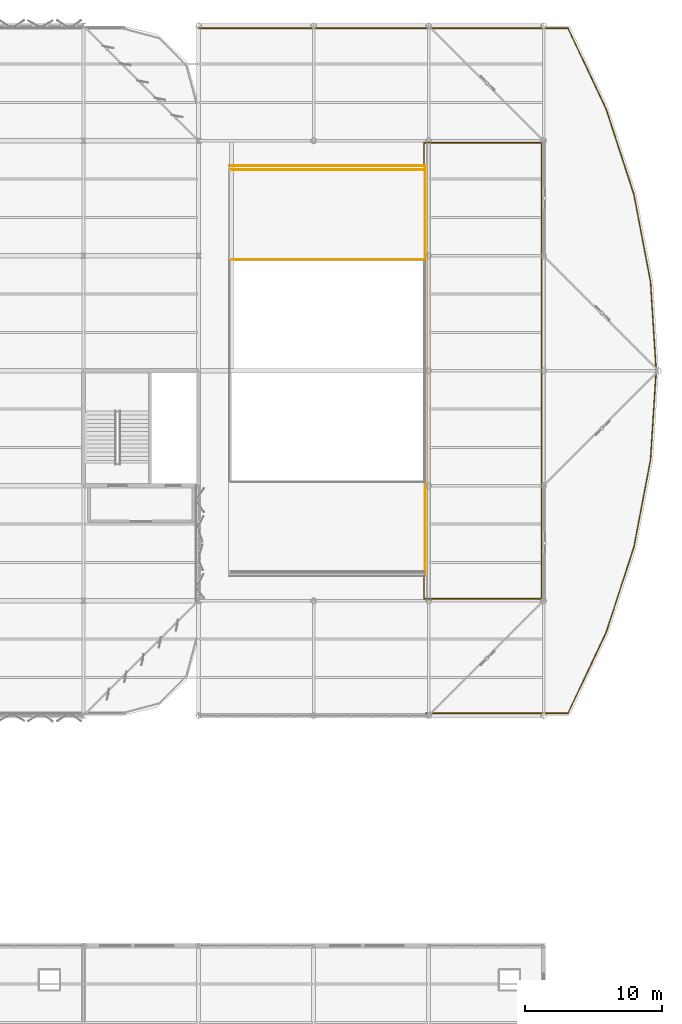
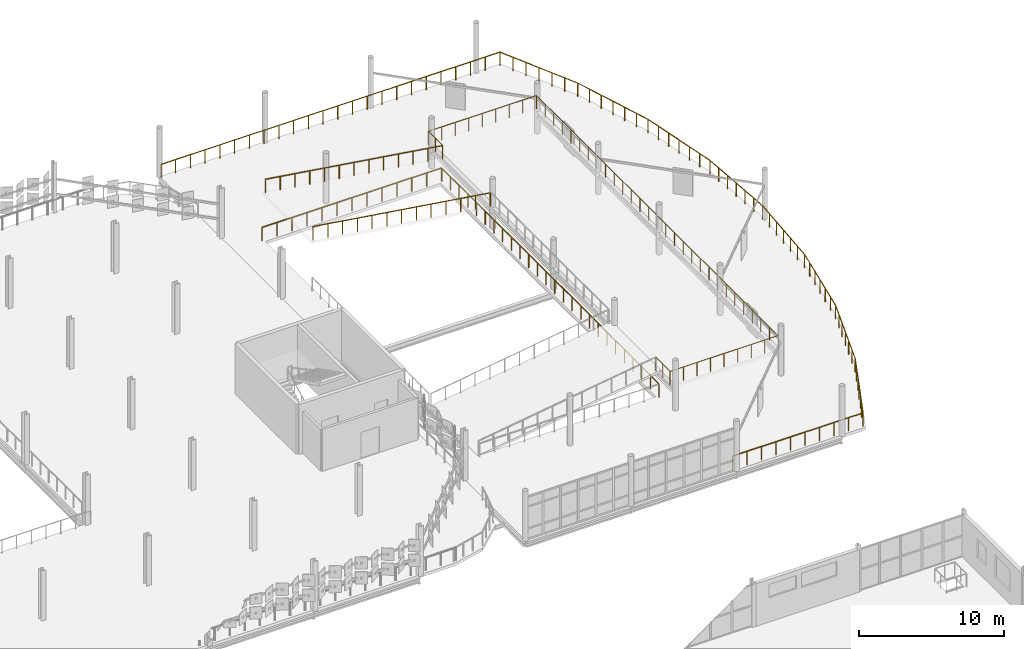
# One storey, part 162 of 163: 6 railings.
"""IFC4 building model written with IfcOpenShell, lengths in metres."""

from ifc_helpers import new_model, si_unit, direction, frame, origin, origin_2d, place, context, subcontext, project, spatial, circle, extrude, material, type_object, element, save


model = new_model("IFC4")

# Units and contexts
model_context = context("Model", 3, precision=1e-05, world=origin(), true_north=direction((0.0, 1.0)))
body_context = subcontext(model_context, "Body", "Model", "MODEL_VIEW")
ifc_project = project(units=[si_unit("LENGTHUNIT", "METRE"), si_unit("AREAUNIT", "SQUARE_METRE"), si_unit("VOLUMEUNIT", "CUBIC_METRE"), si_unit("PLANEANGLEUNIT", "RADIAN"), si_unit("MASSUNIT", "GRAM", prefix="KILO")], contexts=[model_context])

# Site, building, storey
site_placement = place(None, origin())
site = spatial("IfcSite", under=ifc_project, at=site_placement, CompositionType="ELEMENT")
building_placement = place(site_placement, origin())
building = spatial("IfcBuilding", under=site, at=building_placement, Name="Qalvenar Corner Mobility Hub", CompositionType="ELEMENT")
storey_placement = place(building_placement, frame((0.0, 0.0, 4.800048828125)))
storey = spatial("IfcBuildingStorey", under=building, at=storey_placement, Name="L01", CompositionType="ELEMENT", Elevation=4.800048828125)

# Railings
ifc_material = material(Name="Galvanised Steel Deck Edge Barrier", Category="steel")
railing_type = type_object("IfcRailingType", Name="RL-GUARD-115", PredefinedType="GUARDRAIL", material=ifc_material)
railing_1_placement = place(storey_placement, frame((159.25, 100.52001953125, 2.099853515625)))
element("IfcRailing", 1, at=railing_1_placement, inside=storey, type_object=railing_type, Name="Ramp Guardrail L01-L02-GR2", PredefinedType="GUARDRAIL", context=body_context, shape_type="SweptSolid", body=[
    extrude(circle(Radius=0.02392578125, at=origin_2d()), frame((0.0, 0.0, 1.1259765625), z_axis=(-0.989089328396, 0.0, 0.147317006664), x_axis=(0.0, -1.0, 0.0)), (0.0, 0.0, 1.0), 14.255615234375),
    extrude(circle(Radius=0.02099609375, at=origin_2d()), origin(), (0.0, 0.0, 1.0), 1.101806640625),
    extrude(circle(Radius=0.02099609375, at=origin_2d()), frame((-1.175048828125, 0.0, 0.175048828125)), (0.0, 0.0, 1.0), 1.101806640625),
    extrude(circle(Radius=0.02099609375, at=origin_2d()), frame((-2.35009765625, 0.0, 0.35009765625)), (0.0, 0.0, 1.0), 1.101806640625),
    extrude(circle(Radius=0.02099609375, at=origin_2d()), frame((-3.52490234375, 0.0, 0.52490234375)), (0.0, 0.0, 1.0), 1.101806640625),
    extrude(circle(Radius=0.02099609375, at=origin_2d()), frame((-4.699951171875, 0.0, 0.699951171875)), (0.0, 0.0, 1.0), 1.101806640625),
    extrude(circle(Radius=0.02099609375, at=origin_2d()), frame((-5.875, 0.0, 0.875)), (0.0, 0.0, 1.0), 1.101806640625),
    extrude(circle(Radius=0.02099609375, at=origin_2d()), frame((-7.050048828125, 0.0, 1.050048828125)), (0.0, 0.0, 1.0), 1.101806640625),
    extrude(circle(Radius=0.02099609375, at=origin_2d()), frame((-8.22509765625, 0.0, 1.22509765625)), (0.0, 0.0, 1.0), 1.101806640625),
    extrude(circle(Radius=0.02099609375, at=origin_2d()), frame((-9.400146484375, 0.0, 1.400146484375)), (0.0, 0.0, 1.0), 1.101806640625),
    extrude(circle(Radius=0.02099609375, at=origin_2d()), frame((-10.5751953125, 0.0, 1.5751953125)), (0.0, 0.0, 1.0), 1.101806640625),
    extrude(circle(Radius=0.02099609375, at=origin_2d()), frame((-11.75, 0.0, 1.75)), (0.0, 0.0, 1.0), 1.101806640625),
    extrude(circle(Radius=0.02099609375, at=origin_2d()), frame((-12.925048828125, 0.0, 1.925048828125)), (0.0, 0.0, 1.0), 1.101806640625),
    extrude(circle(Radius=0.02099609375, at=origin_2d()), frame((-14.10009765625, 0.0, 2.10009765625)), (0.0, 0.0, 1.0), 1.101806640625),
])
railing_2_placement = place(storey_placement, frame((159.25, 107.080078125, 2.099853515625)))
element("IfcRailing", 2, at=railing_2_placement, inside=storey, type_object=railing_type, Name="Ramp Guardrail L01-L02-GR4", PredefinedType="GUARDRAIL", context=body_context, shape_type="SweptSolid", body=[
    extrude(circle(Radius=0.02392578125, at=origin_2d()), frame((0.0, 0.0, 1.1259765625), z_axis=(-0.989089328396, 0.0, 0.147317006664), x_axis=(0.0, -1.0, 0.0)), (0.0, 0.0, 1.0), 14.255615234375),
    extrude(circle(Radius=0.02099609375, at=origin_2d()), origin(), (0.0, 0.0, 1.0), 1.101806640625),
    extrude(circle(Radius=0.02099609375, at=origin_2d()), frame((-1.175048828125, 0.0, 0.175048828125)), (0.0, 0.0, 1.0), 1.101806640625),
    extrude(circle(Radius=0.02099609375, at=origin_2d()), frame((-2.35009765625, 0.0, 0.35009765625)), (0.0, 0.0, 1.0), 1.101806640625),
    extrude(circle(Radius=0.02099609375, at=origin_2d()), frame((-3.52490234375, 0.0, 0.52490234375)), (0.0, 0.0, 1.0), 1.101806640625),
    extrude(circle(Radius=0.02099609375, at=origin_2d()), frame((-4.699951171875, 0.0, 0.699951171875)), (0.0, 0.0, 1.0), 1.101806640625),
    extrude(circle(Radius=0.02099609375, at=origin_2d()), frame((-5.875, 0.0, 0.875)), (0.0, 0.0, 1.0), 1.101806640625),
    extrude(circle(Radius=0.02099609375, at=origin_2d()), frame((-7.050048828125, 0.0, 1.050048828125)), (0.0, 0.0, 1.0), 1.101806640625),
    extrude(circle(Radius=0.02099609375, at=origin_2d()), frame((-8.22509765625, 0.0, 1.22509765625)), (0.0, 0.0, 1.0), 1.101806640625),
    extrude(circle(Radius=0.02099609375, at=origin_2d()), frame((-9.400146484375, 0.0, 1.400146484375)), (0.0, 0.0, 1.0), 1.101806640625),
    extrude(circle(Radius=0.02099609375, at=origin_2d()), frame((-10.5751953125, 0.0, 1.5751953125)), (0.0, 0.0, 1.0), 1.101806640625),
    extrude(circle(Radius=0.02099609375, at=origin_2d()), frame((-11.75, 0.0, 1.75)), (0.0, 0.0, 1.0), 1.101806640625),
    extrude(circle(Radius=0.02099609375, at=origin_2d()), frame((-12.925048828125, 0.0, 1.925048828125)), (0.0, 0.0, 1.0), 1.101806640625),
    extrude(circle(Radius=0.02099609375, at=origin_2d()), frame((-14.10009765625, 0.0, 2.10009765625)), (0.0, 0.0, 1.0), 1.101806640625),
])
railing_3_placement = place(storey_placement, frame((159.25, 77.719970703125, 2.099853515625)))
element("IfcRailing", 3, at=railing_3_placement, inside=storey, type_object=railing_type, Name="Ramp Guardrail L01-L02-GRL-OUT", PredefinedType="GUARDRAIL", context=body_context, shape_type="SweptSolid", body=[
    extrude(circle(Radius=0.02392578125, at=origin_2d()), frame((0.0, 0.0, 1.1259765625), z_axis=(0.0, -1.0, 0.0), x_axis=(1.0, 0.0, 0.0)), (0.0, 0.0, 1.0), 1.969970703125),
    extrude(circle(Radius=0.02392578125, at=origin_2d()), frame((0.0, -1.969970703125, 1.1259765625), z_axis=(1.0, 0.0, 0.0), x_axis=(0.0, 1.0, 0.0)), (0.0, 0.0, 1.0), 8.60009765625),
    extrude(circle(Radius=0.02392578125, at=origin_2d()), frame((8.60009765625, -1.969970703125, 1.1259765625), z_axis=(0.0, 1.0, 0.0), x_axis=(-1.0, 0.0, 0.0)), (0.0, 0.0, 1.0), 33.300048828125),
    extrude(circle(Radius=0.02392578125, at=origin_2d()), frame((8.60009765625, 31.330078125, 1.1259765625), z_axis=(-1.0, 0.0, 0.0), x_axis=(0.0, -1.0, 0.0)), (0.0, 0.0, 1.0), 8.60009765625),
    extrude(circle(Radius=0.02392578125, at=origin_2d()), frame((0.0, 31.330078125, 1.1259765625), z_axis=(0.0, -1.0, 0.0), x_axis=(1.0, 0.0, 0.0)), (0.0, 0.0, 1.0), 1.969970703125),
    extrude(circle(Radius=0.02099609375, at=origin_2d()), origin(), (0.0, 0.0, 1.0), 1.101806640625),
    extrude(circle(Radius=0.02099609375, at=origin_2d()), frame((0.0, -0.98486328125, 0.0)), (0.0, 0.0, 1.0), 1.101806640625),
    extrude(circle(Radius=0.02099609375, at=origin_2d()), frame((0.0, -1.969970703125, 0.0)), (0.0, 0.0, 1.0), 1.101806640625),
    extrude(circle(Radius=0.02099609375, at=origin_2d()), frame((1.074951171875, -1.969970703125, 0.0)), (0.0, 0.0, 1.0), 1.101806640625),
    extrude(circle(Radius=0.02099609375, at=origin_2d()), frame((2.14990234375, -1.969970703125, 0.0)), (0.0, 0.0, 1.0), 1.101806640625),
    extrude(circle(Radius=0.02099609375, at=origin_2d()), frame((3.22509765625, -1.969970703125, 0.0)), (0.0, 0.0, 1.0), 1.101806640625),
    extrude(circle(Radius=0.02099609375, at=origin_2d()), frame((4.300048828125, -1.969970703125, 0.0)), (0.0, 0.0, 1.0), 1.101806640625),
    extrude(circle(Radius=0.02099609375, at=origin_2d()), frame((5.375, -1.969970703125, 0.0)), (0.0, 0.0, 1.0), 1.101806640625),
    extrude(circle(Radius=0.02099609375, at=origin_2d()), frame((6.4501953125, -1.969970703125, 0.0)), (0.0, 0.0, 1.0), 1.101806640625),
    extrude(circle(Radius=0.02099609375, at=origin_2d()), frame((7.525146484375, -1.969970703125, 0.0)), (0.0, 0.0, 1.0), 1.101806640625),
    extrude(circle(Radius=0.02099609375, at=origin_2d()), frame((8.60009765625, -1.969970703125, 0.0)), (0.0, 0.0, 1.0), 1.101806640625),
    extrude(circle(Radius=0.02099609375, at=origin_2d()), frame((8.60009765625, -0.78076171875, 0.0)), (0.0, 0.0, 1.0), 1.101806640625),
    extrude(circle(Radius=0.02099609375, at=origin_2d()), frame((8.60009765625, 0.40869140625, 0.0)), (0.0, 0.0, 1.0), 1.101806640625),
    extrude(circle(Radius=0.02099609375, at=origin_2d()), frame((8.60009765625, 1.597900390625, 0.0)), (0.0, 0.0, 1.0), 1.101806640625),
    extrude(circle(Radius=0.02099609375, at=origin_2d()), frame((8.60009765625, 2.787109375, 0.0)), (0.0, 0.0, 1.0), 1.101806640625),
    extrude(circle(Radius=0.02099609375, at=origin_2d()), frame((8.60009765625, 3.9765625, 0.0)), (0.0, 0.0, 1.0), 1.101806640625),
    extrude(circle(Radius=0.02099609375, at=origin_2d()), frame((8.60009765625, 5.165771484375, 0.0)), (0.0, 0.0, 1.0), 1.101806640625),
    extrude(circle(Radius=0.02099609375, at=origin_2d()), frame((8.60009765625, 6.35498046875, 0.0)), (0.0, 0.0, 1.0), 1.101806640625),
    extrude(circle(Radius=0.02099609375, at=origin_2d()), frame((8.60009765625, 7.54443359375, 0.0)), (0.0, 0.0, 1.0), 1.101806640625),
    extrude(circle(Radius=0.02099609375, at=origin_2d()), frame((8.60009765625, 8.733642578125, 0.0)), (0.0, 0.0, 1.0), 1.101806640625),
    extrude(circle(Radius=0.02099609375, at=origin_2d()), frame((8.60009765625, 9.9228515625, 0.0)), (0.0, 0.0, 1.0), 1.101806640625),
    extrude(circle(Radius=0.02099609375, at=origin_2d()), frame((8.60009765625, 11.1123046875, 0.0)), (0.0, 0.0, 1.0), 1.101806640625),
    extrude(circle(Radius=0.02099609375, at=origin_2d()), frame((8.60009765625, 12.301513671875, 0.0)), (0.0, 0.0, 1.0), 1.101806640625),
    extrude(circle(Radius=0.02099609375, at=origin_2d()), frame((8.60009765625, 13.49072265625, 0.0)), (0.0, 0.0, 1.0), 1.101806640625),
    extrude(circle(Radius=0.02099609375, at=origin_2d()), frame((8.60009765625, 14.68017578125, 0.0)), (0.0, 0.0, 1.0), 1.101806640625),
    extrude(circle(Radius=0.02099609375, at=origin_2d()), frame((8.60009765625, 15.869384765625, 0.0)), (0.0, 0.0, 1.0), 1.101806640625),
    extrude(circle(Radius=0.02099609375, at=origin_2d()), frame((8.60009765625, 17.05859375, 0.0)), (0.0, 0.0, 1.0), 1.101806640625),
    extrude(circle(Radius=0.02099609375, at=origin_2d()), frame((8.60009765625, 18.247802734375, 0.0)), (0.0, 0.0, 1.0), 1.101806640625),
    extrude(circle(Radius=0.02099609375, at=origin_2d()), frame((8.60009765625, 19.437255859375, 0.0)), (0.0, 0.0, 1.0), 1.101806640625),
    extrude(circle(Radius=0.02099609375, at=origin_2d()), frame((8.60009765625, 20.62646484375, 0.0)), (0.0, 0.0, 1.0), 1.101806640625),
    extrude(circle(Radius=0.02099609375, at=origin_2d()), frame((8.60009765625, 21.815673828125, 0.0)), (0.0, 0.0, 1.0), 1.101806640625),
    extrude(circle(Radius=0.02099609375, at=origin_2d()), frame((8.60009765625, 23.005126953125, 0.0)), (0.0, 0.0, 1.0), 1.101806640625),
    extrude(circle(Radius=0.02099609375, at=origin_2d()), frame((8.60009765625, 24.1943359375, 0.0)), (0.0, 0.0, 1.0), 1.101806640625),
    extrude(circle(Radius=0.02099609375, at=origin_2d()), frame((8.60009765625, 25.383544921875, 0.0)), (0.0, 0.0, 1.0), 1.101806640625),
    extrude(circle(Radius=0.02099609375, at=origin_2d()), frame((8.60009765625, 26.572998046875, 0.0)), (0.0, 0.0, 1.0), 1.101806640625),
    extrude(circle(Radius=0.02099609375, at=origin_2d()), frame((8.60009765625, 27.76220703125, 0.0)), (0.0, 0.0, 1.0), 1.101806640625),
    extrude(circle(Radius=0.02099609375, at=origin_2d()), frame((8.60009765625, 28.951416015625, 0.0)), (0.0, 0.0, 1.0), 1.101806640625),
    extrude(circle(Radius=0.02099609375, at=origin_2d()), frame((8.60009765625, 30.140869140625, 0.0)), (0.0, 0.0, 1.0), 1.101806640625),
    extrude(circle(Radius=0.02099609375, at=origin_2d()), frame((8.60009765625, 31.330078125, 0.0)), (0.0, 0.0, 1.0), 1.101806640625),
    extrude(circle(Radius=0.02099609375, at=origin_2d()), frame((7.525146484375, 31.330078125, 0.0)), (0.0, 0.0, 1.0), 1.101806640625),
    extrude(circle(Radius=0.02099609375, at=origin_2d()), frame((6.4501953125, 31.330078125, 0.0)), (0.0, 0.0, 1.0), 1.101806640625),
    extrude(circle(Radius=0.02099609375, at=origin_2d()), frame((5.375, 31.330078125, 0.0)), (0.0, 0.0, 1.0), 1.101806640625),
    extrude(circle(Radius=0.02099609375, at=origin_2d()), frame((4.300048828125, 31.330078125, 0.0)), (0.0, 0.0, 1.0), 1.101806640625),
    extrude(circle(Radius=0.02099609375, at=origin_2d()), frame((3.22509765625, 31.330078125, 0.0)), (0.0, 0.0, 1.0), 1.101806640625),
    extrude(circle(Radius=0.02099609375, at=origin_2d()), frame((2.14990234375, 31.330078125, 0.0)), (0.0, 0.0, 1.0), 1.101806640625),
    extrude(circle(Radius=0.02099609375, at=origin_2d()), frame((1.074951171875, 31.330078125, 0.0)), (0.0, 0.0, 1.0), 1.101806640625),
    extrude(circle(Radius=0.02099609375, at=origin_2d()), frame((0.0, 31.330078125, 0.0)), (0.0, 0.0, 1.0), 1.101806640625),
    extrude(circle(Radius=0.02099609375, at=origin_2d()), frame((0.0, 30.34521484375, 0.0)), (0.0, 0.0, 1.0), 1.101806640625),
    extrude(circle(Radius=0.02099609375, at=origin_2d()), frame((0.0, 29.360107421875, 0.0)), (0.0, 0.0, 1.0), 1.101806640625),
])
railing_4_placement = place(storey_placement, frame((159.39990234375, 67.3798828125, 0.0)))
element("IfcRailing", 4, at=railing_4_placement, inside=storey, type_object=railing_type, Name="Rotunda Drum Perimeter Barrier L01", PredefinedType="GUARDRAIL", context=body_context, shape_type="SweptSolid", body=[
    extrude(circle(Radius=0.02392578125, at=origin_2d()), frame((0.0, 0.0, 1.1259765625), z_axis=(1.0, 0.0, 0.0), x_axis=(0.0, 1.0, 0.0)), (0.0, 0.0, 1.0), 10.379638671875),
    extrude(circle(Radius=0.02392578125, at=origin_2d()), frame((10.379638671875, 0.0, 1.1259765625), z_axis=(0.426753831434, 0.904367827466, 0.0), x_axis=(-0.904367827466, 0.426753831434, 0.0)), (0.0, 0.0, 1.0), 6.5234375),
    extrude(circle(Radius=0.02392578125, at=origin_2d()), frame((13.16357421875, 5.899658203125, 1.1259765625), z_axis=(0.309730839995, 0.950824277538, 0.0), x_axis=(-0.950824277538, 0.309730839995, 0.0)), (0.0, 0.0, 1.0), 6.5234375),
    extrude(circle(Radius=0.02392578125, at=origin_2d()), frame((15.18408203125, 12.102294921875, 1.1259765625), z_axis=(0.187839523494, 0.982199731935, 0.0), x_axis=(-0.982199731935, 0.187839523494, 0.0)), (0.0, 0.0, 1.0), 6.5234375),
    extrude(circle(Radius=0.02392578125, at=origin_2d()), frame((16.409423828125, 18.509521484375, 1.1259765625), z_axis=(0.062949118857, 0.998016737553, 0.0), x_axis=(-0.998016737553, 0.062949118857, 0.0)), (0.0, 0.0, 1.0), 6.5234375),
    extrude(circle(Radius=0.02392578125, at=origin_2d()), frame((16.820068359375, 25.02001953125, 1.1259765625), z_axis=(-0.062949118857, 0.998016737553, 0.0), x_axis=(-0.998016737553, -0.062949118857, 0.0)), (0.0, 0.0, 1.0), 6.5234375),
    extrude(circle(Radius=0.02392578125, at=origin_2d()), frame((16.409423828125, 31.530517578125, 1.1259765625), z_axis=(-0.187832618856, 0.982201052379, 0.0), x_axis=(-0.982201052379, -0.187832618856, 0.0)), (0.0, 0.0, 1.0), 6.523681640625),
    extrude(circle(Radius=0.02392578125, at=origin_2d()), frame((15.18408203125, 37.93798828125, 1.1259765625), z_axis=(-0.309730839995, 0.950824277538, 0.0), x_axis=(-0.950824277538, -0.309730839995, 0.0)), (0.0, 0.0, 1.0), 6.5234375),
    extrude(circle(Radius=0.02392578125, at=origin_2d()), frame((13.16357421875, 44.140625, 1.1259765625), z_axis=(-0.426768275647, 0.904361011378, 0.0), x_axis=(-0.904361011378, -0.426768275647, 0.0)), (0.0, 0.0, 1.0), 6.523193359375),
    extrude(circle(Radius=0.02392578125, at=origin_2d()), frame((10.379638671875, 50.0400390625, 1.1259765625), z_axis=(-1.0, 0.0, 0.0), x_axis=(0.0, -1.0, 0.0)), (0.0, 0.0, 1.0), 26.9794921875),
    extrude(circle(Radius=0.02099609375, at=origin_2d()), origin(), (0.0, 0.0, 1.0), 1.101806640625),
    extrude(circle(Radius=0.02099609375, at=origin_2d()), frame((1.1533203125, 0.0, 0.0)), (0.0, 0.0, 1.0), 1.101806640625),
    extrude(circle(Radius=0.02099609375, at=origin_2d()), frame((2.306640625, 0.0, 0.0)), (0.0, 0.0, 1.0), 1.101806640625),
    extrude(circle(Radius=0.02099609375, at=origin_2d()), frame((3.4599609375, 0.0, 0.0)), (0.0, 0.0, 1.0), 1.101806640625),
    extrude(circle(Radius=0.02099609375, at=origin_2d()), frame((4.61328125, 0.0, 0.0)), (0.0, 0.0, 1.0), 1.101806640625),
    extrude(circle(Radius=0.02099609375, at=origin_2d()), frame((5.766357421875, 0.0, 0.0)), (0.0, 0.0, 1.0), 1.101806640625),
    extrude(circle(Radius=0.02099609375, at=origin_2d()), frame((6.919677734375, 0.0, 0.0)), (0.0, 0.0, 1.0), 1.101806640625),
    extrude(circle(Radius=0.02099609375, at=origin_2d()), frame((8.072998046875, 0.0, 0.0)), (0.0, 0.0, 1.0), 1.101806640625),
    extrude(circle(Radius=0.02099609375, at=origin_2d()), frame((9.226318359375, 0.0, 0.0)), (0.0, 0.0, 1.0), 1.101806640625),
    extrude(circle(Radius=0.02099609375, at=origin_2d()), frame((10.379638671875, 0.0, 0.0)), (0.0, 0.0, 1.0), 1.101806640625),
    extrude(circle(Radius=0.02099609375, at=origin_2d()), frame((10.84375, 0.9833984375, 0.0)), (0.0, 0.0, 1.0), 1.101806640625),
    extrude(circle(Radius=0.02099609375, at=origin_2d()), frame((11.3076171875, 1.966552734375, 0.0)), (0.0, 0.0, 1.0), 1.101806640625),
    extrude(circle(Radius=0.02099609375, at=origin_2d()), frame((11.771484375, 2.94970703125, 0.0)), (0.0, 0.0, 1.0), 1.101806640625),
    extrude(circle(Radius=0.02099609375, at=origin_2d()), frame((12.235595703125, 3.93310546875, 0.0)), (0.0, 0.0, 1.0), 1.101806640625),
    extrude(circle(Radius=0.02099609375, at=origin_2d()), frame((12.69970703125, 4.91650390625, 0.0)), (0.0, 0.0, 1.0), 1.101806640625),
    extrude(circle(Radius=0.02099609375, at=origin_2d()), frame((13.16357421875, 5.899658203125, 0.0)), (0.0, 0.0, 1.0), 1.101806640625),
    extrude(circle(Radius=0.02099609375, at=origin_2d()), frame((13.500244140625, 6.933349609375, 0.0)), (0.0, 0.0, 1.0), 1.101806640625),
    extrude(circle(Radius=0.02099609375, at=origin_2d()), frame((13.837158203125, 7.96728515625, 0.0)), (0.0, 0.0, 1.0), 1.101806640625),
    extrude(circle(Radius=0.02099609375, at=origin_2d()), frame((14.173828125, 9.0009765625, 0.0)), (0.0, 0.0, 1.0), 1.101806640625),
    extrude(circle(Radius=0.02099609375, at=origin_2d()), frame((14.510498046875, 10.03466796875, 0.0)), (0.0, 0.0, 1.0), 1.101806640625),
    extrude(circle(Radius=0.02099609375, at=origin_2d()), frame((14.847412109375, 11.068603515625, 0.0)), (0.0, 0.0, 1.0), 1.101806640625),
    extrude(circle(Radius=0.02099609375, at=origin_2d()), frame((15.18408203125, 12.102294921875, 0.0)), (0.0, 0.0, 1.0), 1.101806640625),
    extrude(circle(Radius=0.02099609375, at=origin_2d()), frame((15.38818359375, 13.170166015625, 0.0)), (0.0, 0.0, 1.0), 1.101806640625),
    extrude(circle(Radius=0.02099609375, at=origin_2d()), frame((15.592529296875, 14.238037109375, 0.0)), (0.0, 0.0, 1.0), 1.101806640625),
    extrude(circle(Radius=0.02099609375, at=origin_2d()), frame((15.796875, 15.305908203125, 0.0)), (0.0, 0.0, 1.0), 1.101806640625),
    extrude(circle(Radius=0.02099609375, at=origin_2d()), frame((16.0009765625, 16.373779296875, 0.0)), (0.0, 0.0, 1.0), 1.101806640625),
    extrude(circle(Radius=0.02099609375, at=origin_2d()), frame((16.205078125, 17.441650390625, 0.0)), (0.0, 0.0, 1.0), 1.101806640625),
    extrude(circle(Radius=0.02099609375, at=origin_2d()), frame((16.409423828125, 18.509521484375, 0.0)), (0.0, 0.0, 1.0), 1.101806640625),
    extrude(circle(Radius=0.02099609375, at=origin_2d()), frame((16.477783203125, 19.5947265625, 0.0)), (0.0, 0.0, 1.0), 1.101806640625),
    extrude(circle(Radius=0.02099609375, at=origin_2d()), frame((16.54638671875, 20.6796875, 0.0)), (0.0, 0.0, 1.0), 1.101806640625),
    extrude(circle(Radius=0.02099609375, at=origin_2d()), frame((16.61474609375, 21.7646484375, 0.0)), (0.0, 0.0, 1.0), 1.101806640625),
    extrude(circle(Radius=0.02099609375, at=origin_2d()), frame((16.68310546875, 22.849853515625, 0.0)), (0.0, 0.0, 1.0), 1.101806640625),
    extrude(circle(Radius=0.02099609375, at=origin_2d()), frame((16.751708984375, 23.93505859375, 0.0)), (0.0, 0.0, 1.0), 1.101806640625),
    extrude(circle(Radius=0.02099609375, at=origin_2d()), frame((16.820068359375, 25.02001953125, 0.0)), (0.0, 0.0, 1.0), 1.101806640625),
    extrude(circle(Radius=0.02099609375, at=origin_2d()), frame((16.751708984375, 26.10498046875, 0.0)), (0.0, 0.0, 1.0), 1.101806640625),
    extrude(circle(Radius=0.02099609375, at=origin_2d()), frame((16.68310546875, 27.190185546875, 0.0)), (0.0, 0.0, 1.0), 1.101806640625),
    extrude(circle(Radius=0.02099609375, at=origin_2d()), frame((16.61474609375, 28.275390625, 0.0)), (0.0, 0.0, 1.0), 1.101806640625),
    extrude(circle(Radius=0.02099609375, at=origin_2d()), frame((16.54638671875, 29.3603515625, 0.0)), (0.0, 0.0, 1.0), 1.101806640625),
    extrude(circle(Radius=0.02099609375, at=origin_2d()), frame((16.477783203125, 30.4453125, 0.0)), (0.0, 0.0, 1.0), 1.101806640625),
    extrude(circle(Radius=0.02099609375, at=origin_2d()), frame((16.409423828125, 31.530517578125, 0.0)), (0.0, 0.0, 1.0), 1.101806640625),
    extrude(circle(Radius=0.02099609375, at=origin_2d()), frame((16.205078125, 32.598388671875, 0.0)), (0.0, 0.0, 1.0), 1.101806640625),
    extrude(circle(Radius=0.02099609375, at=origin_2d()), frame((16.0009765625, 33.666259765625, 0.0)), (0.0, 0.0, 1.0), 1.101806640625),
    extrude(circle(Radius=0.02099609375, at=origin_2d()), frame((15.796875, 34.734375, 0.0)), (0.0, 0.0, 1.0), 1.101806640625),
    extrude(circle(Radius=0.02099609375, at=origin_2d()), frame((15.592529296875, 35.80224609375, 0.0)), (0.0, 0.0, 1.0), 1.101806640625),
    extrude(circle(Radius=0.02099609375, at=origin_2d()), frame((15.38818359375, 36.8701171875, 0.0)), (0.0, 0.0, 1.0), 1.101806640625),
    extrude(circle(Radius=0.02099609375, at=origin_2d()), frame((15.18408203125, 37.93798828125, 0.0)), (0.0, 0.0, 1.0), 1.101806640625),
    extrude(circle(Radius=0.02099609375, at=origin_2d()), frame((14.847412109375, 38.9716796875, 0.0)), (0.0, 0.0, 1.0), 1.101806640625),
    extrude(circle(Radius=0.02099609375, at=origin_2d()), frame((14.510498046875, 40.005615234375, 0.0)), (0.0, 0.0, 1.0), 1.101806640625),
    extrude(circle(Radius=0.02099609375, at=origin_2d()), frame((14.173828125, 41.039306640625, 0.0)), (0.0, 0.0, 1.0), 1.101806640625),
    extrude(circle(Radius=0.02099609375, at=origin_2d()), frame((13.837158203125, 42.072998046875, 0.0)), (0.0, 0.0, 1.0), 1.101806640625),
    extrude(circle(Radius=0.02099609375, at=origin_2d()), frame((13.500244140625, 43.10693359375, 0.0)), (0.0, 0.0, 1.0), 1.101806640625),
    extrude(circle(Radius=0.02099609375, at=origin_2d()), frame((13.16357421875, 44.140625, 0.0)), (0.0, 0.0, 1.0), 1.101806640625),
    extrude(circle(Radius=0.02099609375, at=origin_2d()), frame((12.69970703125, 45.123779296875, 0.0)), (0.0, 0.0, 1.0), 1.101806640625),
    extrude(circle(Radius=0.02099609375, at=origin_2d()), frame((12.235595703125, 46.107177734375, 0.0)), (0.0, 0.0, 1.0), 1.101806640625),
    extrude(circle(Radius=0.02099609375, at=origin_2d()), frame((11.771484375, 47.09033203125, 0.0)), (0.0, 0.0, 1.0), 1.101806640625),
    extrude(circle(Radius=0.02099609375, at=origin_2d()), frame((11.3076171875, 48.073486328125, 0.0)), (0.0, 0.0, 1.0), 1.101806640625),
    extrude(circle(Radius=0.02099609375, at=origin_2d()), frame((10.84375, 49.056884765625, 0.0)), (0.0, 0.0, 1.0), 1.101806640625),
    extrude(circle(Radius=0.02099609375, at=origin_2d()), frame((10.379638671875, 50.0400390625, 0.0)), (0.0, 0.0, 1.0), 1.101806640625),
    extrude(circle(Radius=0.02099609375, at=origin_2d()), frame((9.20654296875, 50.0400390625, 0.0)), (0.0, 0.0, 1.0), 1.101806640625),
    extrude(circle(Radius=0.02099609375, at=origin_2d()), frame((8.03369140625, 50.0400390625, 0.0)), (0.0, 0.0, 1.0), 1.101806640625),
    extrude(circle(Radius=0.02099609375, at=origin_2d()), frame((6.860595703125, 50.0400390625, 0.0)), (0.0, 0.0, 1.0), 1.101806640625),
    extrude(circle(Radius=0.02099609375, at=origin_2d()), frame((5.6875, 50.0400390625, 0.0)), (0.0, 0.0, 1.0), 1.101806640625),
    extrude(circle(Radius=0.02099609375, at=origin_2d()), frame((4.5146484375, 50.0400390625, 0.0)), (0.0, 0.0, 1.0), 1.101806640625),
    extrude(circle(Radius=0.02099609375, at=origin_2d()), frame((3.341552734375, 50.0400390625, 0.0)), (0.0, 0.0, 1.0), 1.101806640625),
    extrude(circle(Radius=0.02099609375, at=origin_2d()), frame((2.16845703125, 50.0400390625, 0.0)), (0.0, 0.0, 1.0), 1.101806640625),
    extrude(circle(Radius=0.02099609375, at=origin_2d()), frame((0.995361328125, 50.0400390625, 0.0)), (0.0, 0.0, 1.0), 1.101806640625),
    extrude(circle(Radius=0.02099609375, at=origin_2d()), frame((-0.177490234375, 50.0400390625, 0.0)), (0.0, 0.0, 1.0), 1.101806640625),
    extrude(circle(Radius=0.02099609375, at=origin_2d()), frame((-1.3505859375, 50.0400390625, 0.0)), (0.0, 0.0, 1.0), 1.101806640625),
    extrude(circle(Radius=0.02099609375, at=origin_2d()), frame((-2.523681640625, 50.0400390625, 0.0)), (0.0, 0.0, 1.0), 1.101806640625),
    extrude(circle(Radius=0.02099609375, at=origin_2d()), frame((-3.696533203125, 50.0400390625, 0.0)), (0.0, 0.0, 1.0), 1.101806640625),
    extrude(circle(Radius=0.02099609375, at=origin_2d()), frame((-4.86962890625, 50.0400390625, 0.0)), (0.0, 0.0, 1.0), 1.101806640625),
    extrude(circle(Radius=0.02099609375, at=origin_2d()), frame((-6.042724609375, 50.0400390625, 0.0)), (0.0, 0.0, 1.0), 1.101806640625),
    extrude(circle(Radius=0.02099609375, at=origin_2d()), frame((-7.215576171875, 50.0400390625, 0.0)), (0.0, 0.0, 1.0), 1.101806640625),
    extrude(circle(Radius=0.02099609375, at=origin_2d()), frame((-8.388671875, 50.0400390625, 0.0)), (0.0, 0.0, 1.0), 1.101806640625),
    extrude(circle(Radius=0.02099609375, at=origin_2d()), frame((-9.561767578125, 50.0400390625, 0.0)), (0.0, 0.0, 1.0), 1.101806640625),
    extrude(circle(Radius=0.02099609375, at=origin_2d()), frame((-10.73486328125, 50.0400390625, 0.0)), (0.0, 0.0, 1.0), 1.101806640625),
    extrude(circle(Radius=0.02099609375, at=origin_2d()), frame((-11.90771484375, 50.0400390625, 0.0)), (0.0, 0.0, 1.0), 1.101806640625),
    extrude(circle(Radius=0.02099609375, at=origin_2d()), frame((-13.080810546875, 50.0400390625, 0.0)), (0.0, 0.0, 1.0), 1.101806640625),
    extrude(circle(Radius=0.02099609375, at=origin_2d()), frame((-14.25390625, 50.0400390625, 0.0)), (0.0, 0.0, 1.0), 1.101806640625),
    extrude(circle(Radius=0.02099609375, at=origin_2d()), frame((-15.4267578125, 50.0400390625, 0.0)), (0.0, 0.0, 1.0), 1.101806640625),
    extrude(circle(Radius=0.02099609375, at=origin_2d()), frame((-16.599853515625, 50.0400390625, 0.0)), (0.0, 0.0, 1.0), 1.101806640625),
])
railing_5_placement = place(storey_placement, frame((145.050048828125, 107.3798828125, 0.0)))
element("IfcRailing", 5, at=railing_5_placement, inside=storey, type_object=railing_type, Name="Ramp Well Guardrail North L01", PredefinedType="GUARDRAIL", context=body_context, shape_type="SweptSolid", body=[
    extrude(circle(Radius=0.02392578125, at=origin_2d()), frame((0.0, 0.0, 1.1259765625), z_axis=(1.0, 0.0, 0.0), x_axis=(0.0, 1.0, 0.0)), (0.0, 0.0, 1.0), 14.300048828125),
    extrude(circle(Radius=0.02099609375, at=origin_2d()), origin(), (0.0, 0.0, 1.0), 1.101806640625),
    extrude(circle(Radius=0.02099609375, at=origin_2d()), frame((1.191650390625, 0.0, 0.0)), (0.0, 0.0, 1.0), 1.101806640625),
    extrude(circle(Radius=0.02099609375, at=origin_2d()), frame((2.38330078125, 0.0, 0.0)), (0.0, 0.0, 1.0), 1.101806640625),
    extrude(circle(Radius=0.02099609375, at=origin_2d()), frame((3.574951171875, 0.0, 0.0)), (0.0, 0.0, 1.0), 1.101806640625),
    extrude(circle(Radius=0.02099609375, at=origin_2d()), frame((4.7666015625, 0.0, 0.0)), (0.0, 0.0, 1.0), 1.101806640625),
    extrude(circle(Radius=0.02099609375, at=origin_2d()), frame((5.958251953125, 0.0, 0.0)), (0.0, 0.0, 1.0), 1.101806640625),
    extrude(circle(Radius=0.02099609375, at=origin_2d()), frame((7.14990234375, 0.0, 0.0)), (0.0, 0.0, 1.0), 1.101806640625),
    extrude(circle(Radius=0.02099609375, at=origin_2d()), frame((8.341796875, 0.0, 0.0)), (0.0, 0.0, 1.0), 1.101806640625),
    extrude(circle(Radius=0.02099609375, at=origin_2d()), frame((9.533447265625, 0.0, 0.0)), (0.0, 0.0, 1.0), 1.101806640625),
    extrude(circle(Radius=0.02099609375, at=origin_2d()), frame((10.72509765625, 0.0, 0.0)), (0.0, 0.0, 1.0), 1.101806640625),
    extrude(circle(Radius=0.02099609375, at=origin_2d()), frame((11.916748046875, 0.0, 0.0)), (0.0, 0.0, 1.0), 1.101806640625),
    extrude(circle(Radius=0.02099609375, at=origin_2d()), frame((13.1083984375, 0.0, 0.0)), (0.0, 0.0, 1.0), 1.101806640625),
    extrude(circle(Radius=0.02099609375, at=origin_2d()), frame((14.300048828125, 0.0, 0.0)), (0.0, 0.0, 1.0), 1.101806640625),
])
railing_6_placement = place(storey_placement, frame((159.35009765625, 77.419921875, 0.0)))
element("IfcRailing", 6, at=railing_6_placement, inside=storey, type_object=railing_type, Name="Ramp Well Guardrail East Edge L01", PredefinedType="GUARDRAIL", context=body_context, shape_type="SweptSolid", body=[
    extrude(circle(Radius=0.02392578125, at=origin_2d()), frame((0.0, 0.0, 1.1259765625), z_axis=(0.0, 1.0, 0.0), x_axis=(-1.0, 0.0, 0.0)), (0.0, 0.0, 1.0), 29.9599609375),
    extrude(circle(Radius=0.02099609375, at=origin_2d()), origin(), (0.0, 0.0, 1.0), 1.101806640625),
    extrude(circle(Radius=0.02099609375, at=origin_2d()), frame((0.0, 1.198486328125, 0.0)), (0.0, 0.0, 1.0), 1.101806640625),
    extrude(circle(Radius=0.02099609375, at=origin_2d()), frame((0.0, 2.396728515625, 0.0)), (0.0, 0.0, 1.0), 1.101806640625),
    extrude(circle(Radius=0.02099609375, at=origin_2d()), frame((0.0, 3.59521484375, 0.0)), (0.0, 0.0, 1.0), 1.101806640625),
    extrude(circle(Radius=0.02099609375, at=origin_2d()), frame((0.0, 4.793701171875, 0.0)), (0.0, 0.0, 1.0), 1.101806640625),
    extrude(circle(Radius=0.02099609375, at=origin_2d()), frame((0.0, 5.991943359375, 0.0)), (0.0, 0.0, 1.0), 1.101806640625),
    extrude(circle(Radius=0.02099609375, at=origin_2d()), frame((0.0, 7.1904296875, 0.0)), (0.0, 0.0, 1.0), 1.101806640625),
    extrude(circle(Radius=0.02099609375, at=origin_2d()), frame((0.0, 8.388671875, 0.0)), (0.0, 0.0, 1.0), 1.101806640625),
    extrude(circle(Radius=0.02099609375, at=origin_2d()), frame((0.0, 9.587158203125, 0.0)), (0.0, 0.0, 1.0), 1.101806640625),
    extrude(circle(Radius=0.02099609375, at=origin_2d()), frame((0.0, 10.78564453125, 0.0)), (0.0, 0.0, 1.0), 1.101806640625),
    extrude(circle(Radius=0.02099609375, at=origin_2d()), frame((0.0, 11.98388671875, 0.0)), (0.0, 0.0, 1.0), 1.101806640625),
    extrude(circle(Radius=0.02099609375, at=origin_2d()), frame((0.0, 13.182373046875, 0.0)), (0.0, 0.0, 1.0), 1.101806640625),
    extrude(circle(Radius=0.02099609375, at=origin_2d()), frame((0.0, 14.380859375, 0.0)), (0.0, 0.0, 1.0), 1.101806640625),
    extrude(circle(Radius=0.02099609375, at=origin_2d()), frame((0.0, 15.5791015625, 0.0)), (0.0, 0.0, 1.0), 1.101806640625),
    extrude(circle(Radius=0.02099609375, at=origin_2d()), frame((0.0, 16.777587890625, 0.0)), (0.0, 0.0, 1.0), 1.101806640625),
    extrude(circle(Radius=0.02099609375, at=origin_2d()), frame((0.0, 17.97607421875, 0.0)), (0.0, 0.0, 1.0), 1.101806640625),
    extrude(circle(Radius=0.02099609375, at=origin_2d()), frame((0.0, 19.17431640625, 0.0)), (0.0, 0.0, 1.0), 1.101806640625),
    extrude(circle(Radius=0.02099609375, at=origin_2d()), frame((0.0, 20.372802734375, 0.0)), (0.0, 0.0, 1.0), 1.101806640625),
    extrude(circle(Radius=0.02099609375, at=origin_2d()), frame((0.0, 21.5712890625, 0.0)), (0.0, 0.0, 1.0), 1.101806640625),
    extrude(circle(Radius=0.02099609375, at=origin_2d()), frame((0.0, 22.76953125, 0.0)), (0.0, 0.0, 1.0), 1.101806640625),
    extrude(circle(Radius=0.02099609375, at=origin_2d()), frame((0.0, 23.968017578125, 0.0)), (0.0, 0.0, 1.0), 1.101806640625),
    extrude(circle(Radius=0.02099609375, at=origin_2d()), frame((0.0, 25.166259765625, 0.0)), (0.0, 0.0, 1.0), 1.101806640625),
    extrude(circle(Radius=0.02099609375, at=origin_2d()), frame((0.0, 26.36474609375, 0.0)), (0.0, 0.0, 1.0), 1.101806640625),
    extrude(circle(Radius=0.02099609375, at=origin_2d()), frame((0.0, 27.563232421875, 0.0)), (0.0, 0.0, 1.0), 1.101806640625),
    extrude(circle(Radius=0.02099609375, at=origin_2d()), frame((0.0, 28.761474609375, 0.0)), (0.0, 0.0, 1.0), 1.101806640625),
    extrude(circle(Radius=0.02099609375, at=origin_2d()), frame((0.0, 29.9599609375, 0.0)), (0.0, 0.0, 1.0), 1.101806640625),
])

save(model, "model.ifc")
